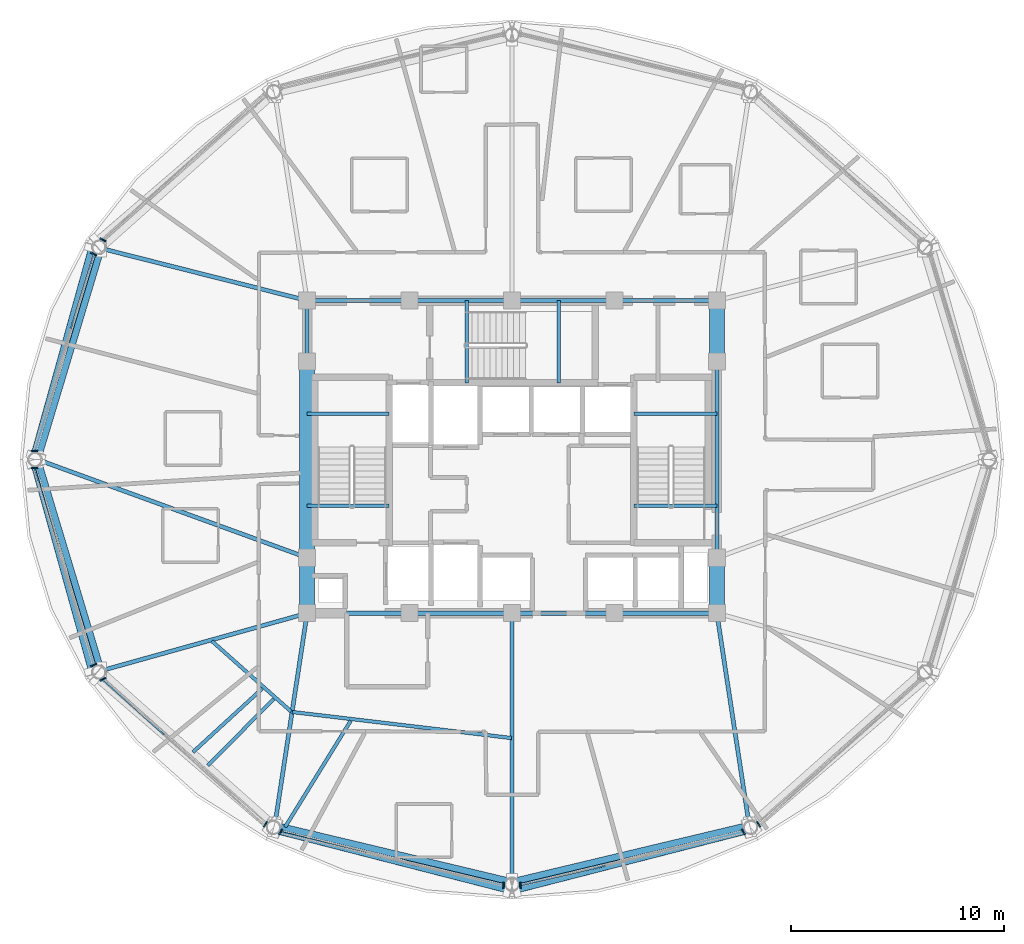
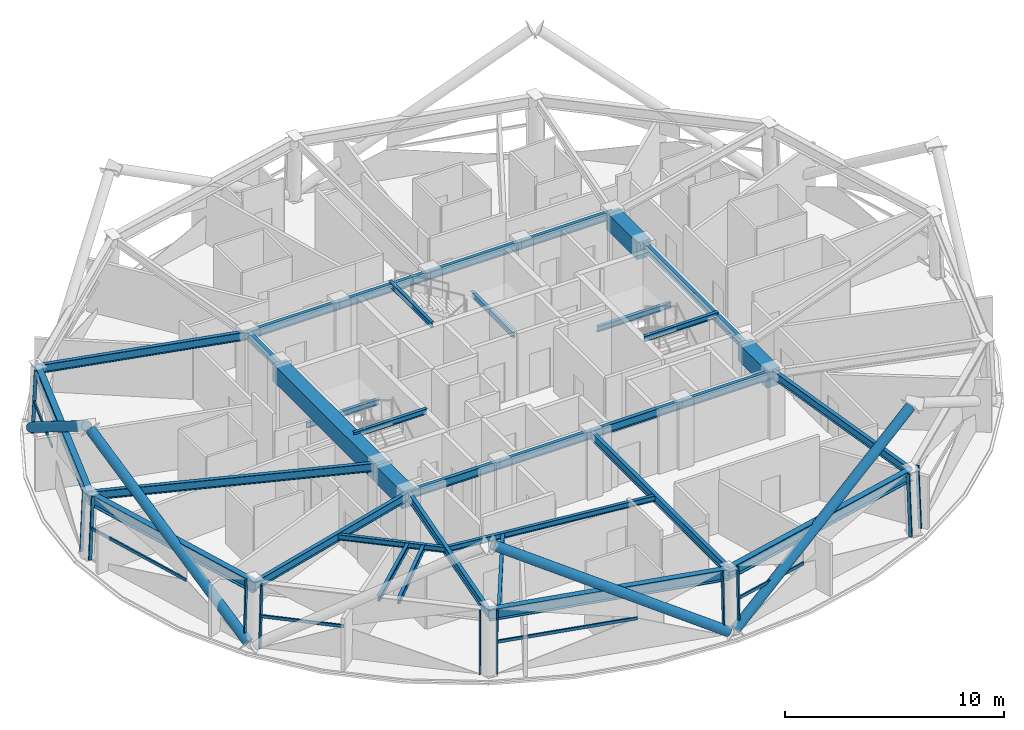
# One storey, part 2 of 14: 35 beams, 21 members, 7 elements without a shape of their own.
"""IFC4 building model written with IfcOpenShell, lengths in metres."""

from ifc_helpers import new_model, si_unit, direction, frame, origin, origin_2d, place, context, subcontext, project, spatial, rectangle, hollow_rectangle, hollow_circle, i_section, extrude, material, layer, layer_set, material_profile, profile_set, type_object, element, aggregate, save


model = new_model("IFC4")

# Units and contexts
model_context = context("Model", 3, precision=1e-05, world=origin(), true_north=direction((0.0, 1.0)))
body_context = subcontext(model_context, "Body", "Model", "MODEL_VIEW")
ifc_project = project(units=[si_unit("LENGTHUNIT", "METRE"), si_unit("AREAUNIT", "SQUARE_METRE"), si_unit("VOLUMEUNIT", "CUBIC_METRE"), si_unit("PLANEANGLEUNIT", "RADIAN"), si_unit("MASSUNIT", "GRAM", prefix="KILO")], contexts=[model_context])

# Site, building, storey
site_placement = place(None, origin())
site = spatial("IfcSite", under=ifc_project, at=site_placement, CompositionType="ELEMENT")
building_placement = place(site_placement, origin())
building = spatial("IfcBuilding", under=site, at=building_placement, Name="Vantalir Tower", CompositionType="ELEMENT")
storey_placement = place(building_placement, frame((0.0, 0.0, 204.89990234375)))
storey = spatial("IfcBuildingStorey", under=building, at=storey_placement, Name="L51", CompositionType="ELEMENT", Elevation=204.89990234375)

# Beams
ifc_material_1 = material(Name="Concrete C60/75", Category="concrete")
ifc_material_profile_1 = material_profile(ifc_material_1, rectangle(XDim=0.699951171875, YDim=0.949951171875, at=origin_2d()), Name="Concrete C60/75")
ifc_profile_set_1 = profile_set([ifc_material_profile_1], Name="Concrete C60/75")
beam_type_1 = type_object("IfcBeamType", Name="BM-CB-700x950", PredefinedType="USERDEFINED", material=ifc_profile_set_1)
beam_1_placement = place(storey_placement, frame((41.10009765625, 17.800048828125, 3.09521484375), z_axis=(0.0, 1.0, 0.0), x_axis=(-1.0, 0.0, 0.0)))
element("IfcBeam", 1, at=beam_1_placement, inside=storey, type_object=beam_type_1, Name="L51 Core Coupling Girder 05", ObjectType="GIRDER", PredefinedType="USERDEFINED", context=body_context, shape_type="SweptSolid", body=[
    extrude(rectangle(XDim=0.699951171875, YDim=0.949951171875, at=origin_2d()), origin(), (0.0, 0.0, 1.0), 2.599853515625),
])
beam_2_placement = place(storey_placement, frame((41.10009765625, 29.60009765625, 3.09521484375), z_axis=(0.0, 1.0, 0.0), x_axis=(-1.0, 0.0, 0.0)))
element("IfcBeam", 2, at=beam_2_placement, inside=storey, type_object=beam_type_1, Name="L51 Core Coupling Girder 07", ObjectType="GIRDER", PredefinedType="USERDEFINED", context=body_context, shape_type="SweptSolid", body=[
    extrude(rectangle(XDim=0.699951171875, YDim=0.949951171875, at=origin_2d()), origin(), (0.0, 0.0, 1.0), 2.849853515625),
])
beam_3_placement = place(storey_placement, frame((21.89990234375, 29.60009765625, 3.09521484375), z_axis=(0.0, -1.0, 0.0), x_axis=(1.0, 0.0, 0.0)))
element("IfcBeam", 3, at=beam_3_placement, inside=storey, type_object=beam_type_1, Name="L51 Core Coupling Girder 13", ObjectType="GIRDER", PredefinedType="USERDEFINED", context=body_context, shape_type="SweptSolid", body=[
    extrude(rectangle(XDim=0.699951171875, YDim=0.949951171875, at=origin_2d()), origin(), (0.0, 0.0, 1.0), 9.2001953125),
])
beam_4_placement = place(storey_placement, frame((21.89990234375, 20.39990234375, 3.09521484375), z_axis=(0.0, -1.0, 0.0), x_axis=(1.0, 0.0, 0.0)))
element("IfcBeam", 4, at=beam_4_placement, inside=storey, type_object=beam_type_1, Name="L51 Core Coupling Girder 14", ObjectType="GIRDER", PredefinedType="USERDEFINED", context=body_context, shape_type="SweptSolid", body=[
    extrude(rectangle(XDim=0.699951171875, YDim=0.949951171875, at=origin_2d()), origin(), (0.0, 0.0, 1.0), 2.599853515625),
])
ifc_material_2 = material(Name="Steel S355", Category="steel")
ifc_material_profile_2 = material_profile(ifc_material_2, i_section(OverallWidth=0.166015625, OverallDepth=0.306884765625, WebThickness=0.006591796875, FlangeThickness=0.01171875, at=origin_2d()), Name="Steel S355")
ifc_profile_set_2 = profile_set([ifc_material_profile_2], Name="Steel S355")
beam_type_2 = type_object("IfcBeamType", Name="BM-JS-305x165", PredefinedType="JOIST", material=ifc_profile_set_2)
for number, where, z_axis, x_axis, name in (
    (5, (21.89990234375, 22.8349609375, 3.59619140625), (1.0, 0.0, 0.0), (0.0, 1.0, 0.0), "L52 Stair ST1 Well Nosing Trimmer Beam"),
    (6, (21.89990234375, 27.14501953125, 1.52099609375), (1.0, 0.0, 0.0), (0.0, 1.0, 0.0), "L51 Stair ST1 Half-Landing Support Beam"),
):
    element("IfcBeam", number, at=place(storey_placement, frame(where, z_axis=z_axis, x_axis=x_axis)), inside=storey, type_object=beam_type_2, Name=name, PredefinedType="JOIST", context=body_context, shape_type="SweptSolid", body=[
        extrude(i_section(OverallWidth=0.166015625, OverallDepth=0.306884765625, WebThickness=0.006591796875, FlangeThickness=0.01171875, at=origin_2d()), origin(), (0.0, 0.0, 1.0), 3.840087890625),
    ])
for number, where, z_axis, x_axis, name in (
    (7, (37.2099609375, 22.8349609375, 3.59619140625), (1.0, 0.0, 0.0), (0.0, 1.0, 0.0), "L52 Stair ST2 Well Nosing Trimmer Beam"),
    (8, (37.2099609375, 27.14501953125, 1.52099609375), (1.0, 0.0, 0.0), (0.0, 1.0, 0.0), "L51 Stair ST2 Half-Landing Support Beam"),
):
    element("IfcBeam", number, at=place(storey_placement, frame(where, z_axis=z_axis, x_axis=x_axis)), inside=storey, type_object=beam_type_2, Name=name, PredefinedType="JOIST", context=body_context, shape_type="SweptSolid", body=[
        extrude(i_section(OverallWidth=0.166015625, OverallDepth=0.306884765625, WebThickness=0.006591796875, FlangeThickness=0.01171875, at=origin_2d()), origin(), (0.0, 0.0, 1.0), 3.89013671875),
    ])
for number, where, z_axis, x_axis, name in (
    (9, (29.385009765625, 28.60009765625, 3.59619140625), (0.0, 1.0, 0.0), (-1.0, 0.0, 0.0), "L52 Stair ST3 Well Nosing Trimmer Beam"),
    (10, (33.695068359375, 28.60009765625, 1.52099609375), (0.0, 1.0, 0.0), (-1.0, 0.0, 0.0), "L51 Stair ST3 Half-Landing Support Beam"),
):
    element("IfcBeam", number, at=place(storey_placement, frame(where, z_axis=z_axis, x_axis=x_axis)), inside=storey, type_object=beam_type_2, Name=name, PredefinedType="JOIST", context=body_context, shape_type="SweptSolid", body=[
        extrude(i_section(OverallWidth=0.166015625, OverallDepth=0.306884765625, WebThickness=0.006591796875, FlangeThickness=0.01171875, at=origin_2d()), origin(), (0.0, 0.0, 1.0), 3.849853515625),
    ])
beam_5_placement = place(storey_placement, frame((17.43408203125, 16.498046875, 3.336181640625), z_axis=(0.746885722385, -0.664952417619, 0.0), x_axis=(0.664952417619, 0.746885722385, 0.0)))
element("IfcBeam", 11, at=beam_5_placement, inside=storey, type_object=beam_type_2, Name="L51 Sky Garden SG3 Planter Sub-Girder 1", PredefinedType="JOIST", context=body_context, shape_type="SweptSolid", body=[
    extrude(i_section(OverallWidth=0.166015625, OverallDepth=0.306884765625, WebThickness=0.006591796875, FlangeThickness=0.01171875, at=origin_2d()), origin(), (0.0, 0.0, 1.0), 4.96728515625),
])
beam_6_placement = place(storey_placement, frame((21.2041015625, 13.169921875, 3.336181640625), z_axis=(0.993019090751, -0.117953742645, 0.0), x_axis=(0.117953742645, 0.993019090751, 0.0)))
element("IfcBeam", 12, at=beam_6_placement, inside=storey, type_object=beam_type_2, Name="L51 Sky Garden SG3 Planter Sub-Girder 2", PredefinedType="JOIST", context=body_context, shape_type="SweptSolid", body=[
    extrude(i_section(OverallWidth=0.166015625, OverallDepth=0.306884765625, WebThickness=0.006591796875, FlangeThickness=0.01171875, at=origin_2d()), origin(), (0.0, 0.0, 1.0), 10.35107421875),
])
beam_7_placement = place(storey_placement, frame((19.797119140625, 14.26806640625, 3.336181640625), z_axis=(-0.736896269533, -0.676005834257, 0.0), x_axis=(0.676005834257, -0.736896269533, 0.0)))
element("IfcBeam", 13, at=beam_7_placement, inside=storey, type_object=beam_type_2, Name="L51 Sky Garden SG3 Pier Tie Beam M1", PredefinedType="JOIST", context=body_context, shape_type="SweptSolid", body=[
    extrude(i_section(OverallWidth=0.166015625, OverallDepth=0.306884765625, WebThickness=0.006591796875, FlangeThickness=0.01171875, at=origin_2d()), origin(), (0.0, 0.0, 1.0), 4.40234375),
])
beam_8_placement = place(storey_placement, frame((20.342041015625, 13.782958984375, 3.336181640625), z_axis=(-0.705157842599, -0.709050362824, 0.0), x_axis=(0.709050362824, -0.705157842599, 0.0)))
element("IfcBeam", 14, at=beam_8_placement, inside=storey, type_object=beam_type_2, Name="L51 Sky Garden SG3 Pier Tie Beam M2", PredefinedType="JOIST", context=body_context, shape_type="SweptSolid", body=[
    extrude(i_section(OverallWidth=0.166015625, OverallDepth=0.306884765625, WebThickness=0.006591796875, FlangeThickness=0.01171875, at=origin_2d()), origin(), (0.0, 0.0, 1.0), 4.390380859375),
])
beam_9_placement = place(storey_placement, frame((23.94091796875, 12.758056640625, 3.336181640625), z_axis=(-0.525407591373, -0.850850670169, 0.0), x_axis=(0.850850670169, -0.525407591373, 0.0)))
element("IfcBeam", 15, at=beam_9_placement, inside=storey, type_object=beam_type_2, Name="L51 Sky Garden SG3 Pier Tie Beam T2", PredefinedType="JOIST", context=body_context, shape_type="SweptSolid", body=[
    extrude(i_section(OverallWidth=0.166015625, OverallDepth=0.306884765625, WebThickness=0.006591796875, FlangeThickness=0.01171875, at=origin_2d()), origin(), (0.0, 0.0, 1.0), 5.8505859375),
])
ifc_material_profile_3 = material_profile(ifc_material_2, i_section(OverallWidth=0.19189453125, OverallDepth=0.462890625, WebThickness=0.010498046875, FlangeThickness=0.017578125, at=origin_2d()), Name="Steel S355")
ifc_profile_set_3 = profile_set([ifc_material_profile_3], Name="Steel S355")
beam_type_3 = type_object("IfcBeamType", Name="BM-RB-457x191", PredefinedType="BEAM", material=ifc_profile_set_3)
for number, where, z_axis, x_axis, name in (
    (16, (21.89990234375, 17.800048828125, 3.338134765625), (1.0, 0.0, 0.0), (0.0, 1.0, 0.0), "L51 Core Coupling Girder 01"),
    (17, (26.699951171875, 17.800048828125, 3.338134765625), (1.0, 0.0, 0.0), (0.0, 1.0, 0.0), "L51 Core Coupling Girder 02"),
    (18, (31.5, 17.800048828125, 3.338134765625), (1.0, 0.0, 0.0), (0.0, 1.0, 0.0), "L51 Core Coupling Girder 03"),
    (19, (36.300048828125, 17.800048828125, 3.338134765625), (1.0, 0.0, 0.0), (0.0, 1.0, 0.0), "L51 Core Coupling Girder 04"),
):
    element("IfcBeam", number, at=place(storey_placement, frame(where, z_axis=z_axis, x_axis=x_axis)), inside=storey, type_object=beam_type_3, Name=name, PredefinedType="BEAM", context=body_context, shape_type="SweptSolid", body=[
        extrude(i_section(OverallWidth=0.19189453125, OverallDepth=0.462890625, WebThickness=0.010498046875, FlangeThickness=0.017578125, at=origin_2d()), origin(), (0.0, 0.0, 1.0), 4.800048828125),
    ])
beam_10_placement = place(storey_placement, frame((41.10009765625, 20.39990234375, 3.338134765625), z_axis=(0.0, 1.0, 0.0), x_axis=(-1.0, 0.0, 0.0)))
element("IfcBeam", 20, at=beam_10_placement, inside=storey, type_object=beam_type_3, Name="L51 Core Coupling Girder 06", PredefinedType="BEAM", context=body_context, shape_type="SweptSolid", body=[
    extrude(i_section(OverallWidth=0.19189453125, OverallDepth=0.462890625, WebThickness=0.010498046875, FlangeThickness=0.017578125, at=origin_2d()), origin(), (0.0, 0.0, 1.0), 9.2001953125),
])
for number, where, z_axis, x_axis, name in (
    (21, (41.10009765625, 32.449951171875, 3.338134765625), (-1.0, 0.0, 0.0), (0.0, -1.0, 0.0), "L51 Core Coupling Girder 08"),
    (22, (36.300048828125, 32.449951171875, 3.338134765625), (-1.0, 0.0, 0.0), (0.0, -1.0, 0.0), "L51 Core Coupling Girder 09"),
    (23, (31.5, 32.449951171875, 3.338134765625), (-1.0, 0.0, 0.0), (0.0, -1.0, 0.0), "L51 Core Coupling Girder 10"),
    (24, (26.699951171875, 32.449951171875, 3.338134765625), (-1.0, 0.0, 0.0), (0.0, -1.0, 0.0), "L51 Core Coupling Girder 11"),
):
    element("IfcBeam", number, at=place(storey_placement, frame(where, z_axis=z_axis, x_axis=x_axis)), inside=storey, type_object=beam_type_3, Name=name, PredefinedType="BEAM", context=body_context, shape_type="SweptSolid", body=[
        extrude(i_section(OverallWidth=0.19189453125, OverallDepth=0.462890625, WebThickness=0.010498046875, FlangeThickness=0.017578125, at=origin_2d()), origin(), (0.0, 0.0, 1.0), 4.800048828125),
    ])
beam_11_placement = place(storey_placement, frame((21.89990234375, 32.449951171875, 3.338134765625), z_axis=(0.0, -1.0, 0.0), x_axis=(1.0, 0.0, 0.0)))
element("IfcBeam", 25, at=beam_11_placement, inside=storey, type_object=beam_type_3, Name="L51 Core Coupling Girder 12", PredefinedType="BEAM", context=body_context, shape_type="SweptSolid", body=[
    extrude(i_section(OverallWidth=0.19189453125, OverallDepth=0.462890625, WebThickness=0.010498046875, FlangeThickness=0.017578125, at=origin_2d()), origin(), (0.0, 0.0, 1.0), 2.849853515625),
])
beam_12_placement = place(storey_placement, frame((12.2451171875, 34.89599609375, 3.338134765625), z_axis=(0.969373469219, -0.245591280739, 0.0), x_axis=(0.245591280739, 0.969373469219, 0.0)))
element("IfcBeam", 26, at=beam_12_placement, inside=storey, type_object=beam_type_3, Name="L51 Radial Floor Beam 06", PredefinedType="BEAM", context=body_context, shape_type="SweptSolid", body=[
    extrude(i_section(OverallWidth=0.19189453125, OverallDepth=0.462890625, WebThickness=0.010498046875, FlangeThickness=0.017578125, at=origin_2d()), origin(), (0.0, 0.0, 1.0), 9.959716796875),
])
beam_13_placement = place(storey_placement, frame((9.26611328125, 25.0, 3.338134765625), z_axis=(0.939650196162, -0.342136681535, 0.0), x_axis=(0.342136681535, 0.939650196162, 0.0)))
element("IfcBeam", 27, at=beam_13_placement, inside=storey, type_object=beam_type_3, Name="L51 Radial Floor Beam 07", PredefinedType="BEAM", context=body_context, shape_type="SweptSolid", body=[
    extrude(i_section(OverallWidth=0.19189453125, OverallDepth=0.462890625, WebThickness=0.010498046875, FlangeThickness=0.017578125, at=origin_2d()), origin(), (0.0, 0.0, 1.0), 13.4453125),
])
beam_14_placement = place(storey_placement, frame((12.2451171875, 15.10302734375, 3.298095703125), z_axis=(0.963127495216, 0.269045401296, 0.0), x_axis=(-0.269045401296, 0.963127495216, 0.0)))
element("IfcBeam", 28, at=beam_14_placement, inside=storey, type_object=beam_type_3, Name="L51 Radial Floor Beam 08", PredefinedType="BEAM", context=body_context, shape_type="SweptSolid", body=[
    extrude(i_section(OverallWidth=0.19189453125, OverallDepth=0.462890625, WebThickness=0.010498046875, FlangeThickness=0.017578125, at=origin_2d()), origin(), (0.0, 0.0, 1.0), 10.0244140625),
])
beam_15_placement = place(storey_placement, frame((20.383056640625, 7.85888671875, 3.298095703125), z_axis=(0.150836593768, 0.988558709425, 0.0), x_axis=(-0.988558709425, 0.150836593768, 0.0)))
element("IfcBeam", 29, at=beam_15_placement, inside=storey, type_object=beam_type_3, Name="L51 Radial Floor Beam 09", PredefinedType="BEAM", context=body_context, shape_type="SweptSolid", body=[
    extrude(i_section(OverallWidth=0.19189453125, OverallDepth=0.462890625, WebThickness=0.010498046875, FlangeThickness=0.017578125, at=origin_2d()), origin(), (0.0, 0.0, 1.0), 10.05615234375),
])
beam_16_placement = place(storey_placement, frame((31.5, 5.20703125, 3.338134765625), z_axis=(0.0, 1.0, 0.0), x_axis=(-1.0, 0.0, 0.0)))
element("IfcBeam", 30, at=beam_16_placement, inside=storey, type_object=beam_type_3, Name="L51 Radial Floor Beam 10", PredefinedType="BEAM", context=body_context, shape_type="SweptSolid", body=[
    extrude(i_section(OverallWidth=0.19189453125, OverallDepth=0.462890625, WebThickness=0.010498046875, FlangeThickness=0.017578125, at=origin_2d()), origin(), (0.0, 0.0, 1.0), 12.593017578125),
])
beam_17_placement = place(storey_placement, frame((42.616943359375, 7.85888671875, 3.338134765625), z_axis=(-0.150836593768, 0.988558709425, 0.0), x_axis=(-0.988558709425, -0.150836593768, 0.0)))
element("IfcBeam", 31, at=beam_17_placement, inside=storey, type_object=beam_type_3, Name="L51 Radial Floor Beam 11", PredefinedType="BEAM", context=body_context, shape_type="SweptSolid", body=[
    extrude(i_section(OverallWidth=0.19189453125, OverallDepth=0.462890625, WebThickness=0.010498046875, FlangeThickness=0.017578125, at=origin_2d()), origin(), (0.0, 0.0, 1.0), 10.05615234375),
])
ifc_material_3 = material(Name="Steel S460", Category="steel")
ifc_material_profile_4 = material_profile(ifc_material_3, i_section(OverallWidth=0.306884765625, OverallDepth=0.6201171875, WebThickness=0.01416015625, FlangeThickness=0.023681640625, at=origin_2d()), Name="Steel S460")
ifc_profile_set_4 = profile_set([ifc_material_profile_4], Name="Steel S460")
beam_type_4 = type_object("IfcBeamType", Name="BM-RG-610x305", PredefinedType="USERDEFINED", material=ifc_profile_set_4)
beam_18_placement = place(storey_placement, frame((12.2451171875, 34.89599609375, 3.260009765625), z_axis=(-0.288253684932, -0.957554078433, 0.0), x_axis=(0.957554078433, -0.288253684932, 0.0)))
element("IfcBeam", 32, at=beam_18_placement, inside=storey, type_object=beam_type_4, Name="L51 Circumferential Ring Girder 06", ObjectType="GIRDER", PredefinedType="USERDEFINED", context=body_context, shape_type="SweptSolid", body=[
    extrude(i_section(OverallWidth=0.306884765625, OverallDepth=0.6201171875, WebThickness=0.01416015625, FlangeThickness=0.023681640625, at=origin_2d()), origin(), (0.0, 0.0, 1.0), 10.334716796875),
])
beam_19_placement = place(storey_placement, frame((9.26611328125, 25.0, 3.22021484375), z_axis=(0.288227605117, -0.957561928884, 0.0), x_axis=(0.957561928884, 0.288227605117, 0.0)))
element("IfcBeam", 33, at=beam_19_placement, inside=storey, type_object=beam_type_4, Name="L51 Circumferential Ring Girder 07", ObjectType="GIRDER", PredefinedType="USERDEFINED", context=body_context, shape_type="SweptSolid", body=[
    extrude(i_section(OverallWidth=0.306884765625, OverallDepth=0.6201171875, WebThickness=0.01416015625, FlangeThickness=0.023681640625, at=origin_2d()), origin(), (0.0, 0.0, 1.0), 10.335693359375),
])
for number, where, z_axis, x_axis, name in (
    (34, (20.383056640625, 7.85888671875, 3.22021484375), (0.972708257923, -0.232031560285, 0.0), (0.232031560285, 0.972708257923, 0.0), "L51 Circumferential Ring Girder 09"),
    (35, (31.5, 5.20703125, 3.260009765625), (0.972708257923, 0.232031560285, 0.0), (-0.232031560285, 0.972708257923, 0.0), "L51 Circumferential Ring Girder 10"),
):
    element("IfcBeam", number, at=place(storey_placement, frame(where, z_axis=z_axis, x_axis=x_axis)), inside=storey, type_object=beam_type_4, Name=name, ObjectType="GIRDER", PredefinedType="USERDEFINED", context=body_context, shape_type="SweptSolid", body=[
        extrude(i_section(OverallWidth=0.306884765625, OverallDepth=0.6201171875, WebThickness=0.01416015625, FlangeThickness=0.023681640625, at=origin_2d()), origin(), (0.0, 0.0, 1.0), 11.428955078125),
    ])

# Curtain wall, member
ifc_material_4 = material(Name="Champagne-silver PVDF aluminium and double-silver Low-E glass", Category="aluminium")
ifc_layer = layer(ifc_material_4, 0.2099609375)
ifc_layer_set = layer_set([ifc_layer], Name="Champagne-silver PVDF aluminium and double-silver Low-E glass")
curtain_wall_type = type_object("IfcCurtainWallType", Name="CW-DIAMOND-Z3", PredefinedType="USERDEFINED", material=ifc_layer_set)
curtain_wall_1_placement = place(storey_placement, origin())
curtain_wall_1 = element("IfcCurtainWall", 36, at=curtain_wall_1_placement, inside=storey, type_object=curtain_wall_type, Name="L51 Quilted Pyramid-Diamond Curtain Wall S05", ObjectType="UNITISED CURTAIN WALL", PredefinedType="USERDEFINED")
ifc_material_5 = material(Name="Champagne-silver PVDF aluminium 6063-T6", Category="aluminium")
ifc_material_profile_5 = material_profile(ifc_material_5, hollow_rectangle(XDim=0.070068359375, YDim=0.1650390625, WallThickness=0.00390625, at=origin_2d()), Name="Champagne-silver PVDF aluminium 6063-T6")
ifc_profile_set_5 = profile_set([ifc_material_profile_5], Name="Champagne-silver PVDF aluminium 6063-T6")
member_type_1 = type_object("IfcMemberType", Name="CWM-165x70", PredefinedType="MULLION", material=ifc_profile_set_5)
member_1_placement = place(storey_placement, frame((12.258056640625, 35.3310546875, 0.045166015625), z_axis=(0.036729969978, -0.019276224702, 0.999139297829), x_axis=(0.464701423558, 0.885467439798, 0.0)))
member_1 = element("IfcMember", 37, at=member_1_placement, type_object=member_type_1, Name="CW-L51-S05 Mullion 2", PredefinedType="MULLION", context=body_context, shape_type="SweptSolid", body=[
    extrude(hollow_rectangle(XDim=0.070068359375, YDim=0.1650390625, WallThickness=0.00390625, at=origin_2d()), origin(), (0.0, 0.0, 1.0), 3.48291015625),
])
aggregate(curtain_wall_1, [member_1])

# Curtain wall, members
curtain_wall_2_placement = place(storey_placement, origin())
curtain_wall_2 = element("IfcCurtainWall", 38, at=curtain_wall_2_placement, inside=storey, type_object=curtain_wall_type, Name="L51 Quilted Pyramid-Diamond Curtain Wall S06", ObjectType="UNITISED CURTAIN WALL", PredefinedType="USERDEFINED")
member_2_placement = place(storey_placement, frame((11.833984375, 34.6650390625, 0.045166015625), z_axis=(0.036729969978, -0.019276224702, 0.999139297829), x_axis=(0.464701423558, 0.885467439798, 0.0)))
member_2 = element("IfcMember", 39, at=member_2_placement, type_object=member_type_1, Name="CW-L51-S06 Mullion 1", PredefinedType="MULLION", context=body_context, shape_type="SweptSolid", body=[
    extrude(hollow_rectangle(XDim=0.070068359375, YDim=0.1650390625, WallThickness=0.00390625, at=origin_2d()), origin(), (0.0, 0.0, 1.0), 3.48291015625),
])
member_3_placement = place(storey_placement, frame((9.0458984375, 25.39306640625, 0.045166015625), z_axis=(0.042545977798, 0.0, 0.99909450993), x_axis=(0.0, 1.0, 0.0)))
member_3 = element("IfcMember", 40, at=member_3_placement, type_object=member_type_1, Name="CW-L51-S06 Mullion 2", PredefinedType="MULLION", context=body_context, shape_type="SweptSolid", body=[
    extrude(hollow_rectangle(XDim=0.070068359375, YDim=0.1650390625, WallThickness=0.00390625, at=origin_2d()), origin(), (0.0, 0.0, 1.0), 3.483154296875),
])

curtain_wall_3_placement = place(storey_placement, origin())
curtain_wall_3 = element("IfcCurtainWall", 41, at=curtain_wall_3_placement, inside=storey, type_object=curtain_wall_type, Name="L51 Quilted Pyramid-Diamond Curtain Wall S07", ObjectType="UNITISED CURTAIN WALL", PredefinedType="USERDEFINED")
member_4_placement = place(storey_placement, frame((9.0458984375, 24.60693359375, 0.045166015625), z_axis=(0.042545977798, 0.0, 0.99909450993), x_axis=(0.0, 1.0, 0.0)))
member_4 = element("IfcMember", 42, at=member_4_placement, type_object=member_type_1, Name="CW-L51-S07 Mullion 1", PredefinedType="MULLION", context=body_context, shape_type="SweptSolid", body=[
    extrude(hollow_rectangle(XDim=0.070068359375, YDim=0.1650390625, WallThickness=0.00390625, at=origin_2d()), origin(), (0.0, 0.0, 1.0), 3.483154296875),
])
member_5_placement = place(storey_placement, frame((11.833984375, 15.3349609375, 0.045166015625), z_axis=(0.036730215867, 0.018925874588, 0.999145986587), x_axis=(-0.458037839434, 0.888932695791, 0.0)))
member_5 = element("IfcMember", 43, at=member_5_placement, type_object=member_type_1, Name="CW-L51-S07 Mullion 2", PredefinedType="MULLION", context=body_context, shape_type="SweptSolid", body=[
    extrude(hollow_rectangle(XDim=0.070068359375, YDim=0.1650390625, WallThickness=0.00390625, at=origin_2d()), origin(), (0.0, 0.0, 1.0), 3.48291015625),
])

curtain_wall_4_placement = place(storey_placement, origin())
curtain_wall_4 = element("IfcCurtainWall", 44, at=curtain_wall_4_placement, inside=storey, type_object=curtain_wall_type, Name="L51 Quilted Pyramid-Diamond Curtain Wall S08", ObjectType="UNITISED CURTAIN WALL", PredefinedType="USERDEFINED")
member_6_placement = place(storey_placement, frame((12.258056640625, 14.6689453125, 0.045166015625), z_axis=(0.03673016705, 0.018995945173, 0.999144658643), x_axis=(-0.45937680343, 0.888241494454, 0.0)))
member_6 = element("IfcMember", 45, at=member_6_placement, type_object=member_type_1, Name="CW-L51-S08 Mullion 1", PredefinedType="MULLION", context=body_context, shape_type="SweptSolid", body=[
    extrude(hollow_rectangle(XDim=0.070068359375, YDim=0.1650390625, WallThickness=0.00390625, at=origin_2d()), origin(), (0.0, 0.0, 1.0), 3.48291015625),
])
member_7_placement = place(storey_placement, frame((19.907958984375, 7.85302734375, 0.045166015625), z_axis=(0.021240998062, 0.032737775891, 0.999238238875), x_axis=(-0.838894783542, 0.544293617587, 0.0)))
member_7 = element("IfcMember", 46, at=member_7_placement, type_object=member_type_1, Name="CW-L51-S08 Mullion 2", PredefinedType="MULLION", context=body_context, shape_type="SweptSolid", body=[
    extrude(hollow_rectangle(XDim=0.070068359375, YDim=0.1650390625, WallThickness=0.00390625, at=origin_2d()), origin(), (0.0, 0.0, 1.0), 3.482666015625),
])

curtain_wall_5_placement = place(storey_placement, origin())
curtain_wall_5 = element("IfcCurtainWall", 47, at=curtain_wall_5_placement, inside=storey, type_object=curtain_wall_type, Name="L51 Quilted Pyramid-Diamond Curtain Wall S09", ObjectType="UNITISED CURTAIN WALL", PredefinedType="USERDEFINED")
member_8_placement = place(storey_placement, frame((20.613037109375, 7.485107421875, 0.045166015625), z_axis=(0.021240998062, 0.032737775891, 0.999238238875), x_axis=(-0.838894783542, 0.544293617587, 0.0)))
member_8 = element("IfcMember", 48, at=member_8_placement, type_object=member_type_1, Name="CW-L51-S09 Mullion 1", PredefinedType="MULLION", context=body_context, shape_type="SweptSolid", body=[
    extrude(hollow_rectangle(XDim=0.070068359375, YDim=0.1650390625, WallThickness=0.00390625, at=origin_2d()), origin(), (0.0, 0.0, 1.0), 3.482666015625),
])
member_9_placement = place(storey_placement, frame((31.10107421875, 4.97998046875, 0.045166015625), z_axis=(0.0, 0.03792695091, 0.999280514368), x_axis=(-1.0, 0.0, 0.0)))
member_9 = element("IfcMember", 49, at=member_9_placement, type_object=member_type_1, Name="CW-L51-S09 Mullion 2", PredefinedType="MULLION", context=body_context, shape_type="SweptSolid", body=[
    extrude(hollow_rectangle(XDim=0.070068359375, YDim=0.1650390625, WallThickness=0.00390625, at=origin_2d()), origin(), (0.0, 0.0, 1.0), 3.482421875),
])

curtain_wall_6_placement = place(storey_placement, origin())
curtain_wall_6 = element("IfcCurtainWall", 50, at=curtain_wall_6_placement, inside=storey, type_object=curtain_wall_type, Name="L51 Quilted Pyramid-Diamond Curtain Wall S10", ObjectType="UNITISED CURTAIN WALL", PredefinedType="USERDEFINED")
member_10_placement = place(storey_placement, frame((31.89892578125, 4.97998046875, 0.045166015625), z_axis=(0.0, 0.03792695091, 0.999280514368), x_axis=(-1.0, 0.0, 0.0)))
member_10 = element("IfcMember", 51, at=member_10_placement, type_object=member_type_1, Name="CW-L51-S10 Mullion 1", PredefinedType="MULLION", context=body_context, shape_type="SweptSolid", body=[
    extrude(hollow_rectangle(XDim=0.070068359375, YDim=0.1650390625, WallThickness=0.00390625, at=origin_2d()), origin(), (0.0, 0.0, 1.0), 3.482421875),
])
member_11_placement = place(storey_placement, frame((42.386962890625, 7.485107421875, 0.045166015625), z_axis=(-0.021240998062, 0.032737775891, 0.999238238875), x_axis=(-0.838894783542, -0.544293617587, 0.0)))
member_11 = element("IfcMember", 52, at=member_11_placement, type_object=member_type_1, Name="CW-L51-S10 Mullion 2", PredefinedType="MULLION", context=body_context, shape_type="SweptSolid", body=[
    extrude(hollow_rectangle(XDim=0.070068359375, YDim=0.1650390625, WallThickness=0.00390625, at=origin_2d()), origin(), (0.0, 0.0, 1.0), 3.482666015625),
])

# Curtain wall, member
curtain_wall_7_placement = place(storey_placement, origin())
curtain_wall_7 = element("IfcCurtainWall", 53, at=curtain_wall_7_placement, inside=storey, type_object=curtain_wall_type, Name="L51 Quilted Pyramid-Diamond Curtain Wall S11", ObjectType="UNITISED CURTAIN WALL", PredefinedType="USERDEFINED")
member_12_placement = place(storey_placement, frame((43.092041015625, 7.85302734375, 0.045166015625), z_axis=(-0.021240998062, 0.032737775891, 0.999238238875), x_axis=(-0.838894783542, -0.544293617587, 0.0)))
member_12 = element("IfcMember", 54, at=member_12_placement, type_object=member_type_1, Name="CW-L51-S11 Mullion 1", PredefinedType="MULLION", context=body_context, shape_type="SweptSolid", body=[
    extrude(hollow_rectangle(XDim=0.070068359375, YDim=0.1650390625, WallThickness=0.00390625, at=origin_2d()), origin(), (0.0, 0.0, 1.0), 3.482666015625),
])
aggregate(curtain_wall_7, [member_12])

# Member
ifc_material_profile_6 = material_profile(ifc_material_5, hollow_rectangle(XDim=0.074951171875, YDim=0.159912109375, WallThickness=0.00390625, at=origin_2d()), Name="Champagne-silver PVDF aluminium 6063-T6")
ifc_profile_set_6 = profile_set([ifc_material_profile_6], Name="Champagne-silver PVDF aluminium 6063-T6")
member_type_2 = type_object("IfcMemberType", Name="CWT-160x75", PredefinedType="USERDEFINED", material=ifc_profile_set_6)
member_13_placement = place(storey_placement, frame((11.89794921875, 34.632080078125, 1.78515625), z_axis=(-0.294249613472, -0.955728604245, 0.0), x_axis=(0.955728604245, -0.294249613472, 0.0)))
member_13 = element("IfcMember", 55, at=member_13_placement, type_object=member_type_2, Name="CW-L51-S06 Pyramid Fold Ridge Transom", ObjectType="TRANSOM", PredefinedType="USERDEFINED", context=body_context, shape_type="SweptSolid", body=[
    extrude(hollow_rectangle(XDim=0.074951171875, YDim=0.159912109375, WallThickness=0.00390625, at=origin_2d()), origin(), (0.0, 0.0, 1.0), 3.66650390625),
])

aggregate(curtain_wall_2, [member_2, member_3, member_13])

member_14_placement = place(storey_placement, frame((9.1201171875, 24.60693359375, 1.78515625), z_axis=(0.284050805957, -0.958809230053, 0.0), x_axis=(0.958809230053, 0.284050805957, 0.0)))
member_14 = element("IfcMember", 56, at=member_14_placement, type_object=member_type_2, Name="CW-L51-S07 Pyramid Fold Ridge Transom", ObjectType="TRANSOM", PredefinedType="USERDEFINED", context=body_context, shape_type="SweptSolid", body=[
    extrude(hollow_rectangle(XDim=0.074951171875, YDim=0.159912109375, WallThickness=0.00390625, at=origin_2d()), origin(), (0.0, 0.0, 1.0), 5.981201171875),
])

aggregate(curtain_wall_3, [member_4, member_5, member_14])

member_15_placement = place(storey_placement, frame((12.322021484375, 14.701904296875, 1.78515625), z_axis=(0.742548222885, -0.669792607223, 0.0), x_axis=(0.669792607223, 0.742548222885, 0.0)))
member_15 = element("IfcMember", 57, at=member_15_placement, type_object=member_type_2, Name="CW-L51-S08 Pyramid Fold Ridge Transom", ObjectType="TRANSOM", PredefinedType="USERDEFINED", context=body_context, shape_type="SweptSolid", body=[
    extrude(hollow_rectangle(XDim=0.074951171875, YDim=0.159912109375, WallThickness=0.00390625, at=origin_2d()), origin(), (0.0, 0.0, 1.0), 3.875732421875),
])

aggregate(curtain_wall_4, [member_6, member_7, member_15])

member_16_placement = place(storey_placement, frame((20.64990234375, 7.5419921875, 1.78515625), z_axis=(0.971796429509, -0.23582132981, 0.0), x_axis=(0.23582132981, 0.971796429509, 0.0)))
member_16 = element("IfcMember", 58, at=member_16_placement, type_object=member_type_2, Name="CW-L51-S09 Pyramid Fold Ridge Transom", ObjectType="TRANSOM", PredefinedType="USERDEFINED", context=body_context, shape_type="SweptSolid", body=[
    extrude(hollow_rectangle(XDim=0.074951171875, YDim=0.159912109375, WallThickness=0.00390625, at=origin_2d()), origin(), (0.0, 0.0, 1.0), 6.662109375),
])

aggregate(curtain_wall_5, [member_8, member_9, member_16])

member_17_placement = place(storey_placement, frame((31.89892578125, 5.0458984375, 1.78515625), z_axis=(0.973999743349, 0.226549111575, 0.0), x_axis=(-0.226549111575, 0.973999743349, 0.0)))
member_17 = element("IfcMember", 59, at=member_17_placement, type_object=member_type_2, Name="CW-L51-S10 Pyramid Fold Ridge Transom", ObjectType="TRANSOM", PredefinedType="USERDEFINED", context=body_context, shape_type="SweptSolid", body=[
    extrude(hollow_rectangle(XDim=0.074951171875, YDim=0.159912109375, WallThickness=0.00390625, at=origin_2d()), origin(), (0.0, 0.0, 1.0), 4.083251953125),
])

aggregate(curtain_wall_6, [member_10, member_11, member_17])

# Members
ifc_material_profile_7 = material_profile(ifc_material_3, hollow_circle(Radius=0.25, WallThickness=0.031982421875, at=origin_2d()), Name="Steel S460")
ifc_profile_set_7 = profile_set([ifc_material_profile_7], Name="Steel S460")
member_type_3 = type_object("IfcMemberType", Name="MEM-DB-500x32", PredefinedType="BRACE", material=ifc_profile_set_7)
for number, where, z_axis, x_axis, name in (
    (60, (11.903076171875, 34.883056640625, 0.2041015625), (-0.221356136118, -0.794404819186, 0.565616870556), (0.963302414777, -0.268418437676, 0.0), "L51 Perimeter S460 Diagrid Brace R16L"),
    (61, (11.903076171875, 15.116943359375, 0.2041015625), (-0.221356136118, 0.794404819186, 0.565616870556), (-0.963302414777, -0.268418437676, 0.0), "L51 Perimeter S460 Diagrid Brace R22R"),
):
    element("IfcMember", number, at=place(storey_placement, frame(where, z_axis=z_axis, x_axis=x_axis)), inside=storey, type_object=member_type_3, Name=name, PredefinedType="BRACE", context=body_context, shape_type="SweptSolid", body=[
        extrude(hollow_circle(Radius=0.25, WallThickness=0.031982421875, at=origin_2d()), origin(), (0.0, 0.0, 1.0), 12.220458984375),
    ])
for number, where, z_axis, x_axis, name in (
    (62, (31.680908203125, 4.930908203125, 0.196044921875), (0.823045828205, 0.21113601413, 0.527273314527), (-0.248484256203, 0.968635934921, 0.0), "L51 Perimeter S460 Diagrid Brace R28L"),
    (63, (31.319091796875, 4.930908203125, 0.196044921875), (-0.823045828205, 0.21113601413, 0.527273314527), (-0.248484256203, -0.968635934921, 0.0), "L51 Perimeter S460 Diagrid Brace R28R"),
):
    element("IfcMember", number, at=place(storey_placement, frame(where, z_axis=z_axis, x_axis=x_axis)), inside=storey, type_object=member_type_3, Name=name, PredefinedType="BRACE", context=body_context, shape_type="SweptSolid", body=[
        extrude(hollow_circle(Radius=0.25, WallThickness=0.031982421875, at=origin_2d()), origin(), (0.0, 0.0, 1.0), 13.13916015625),
    ])

save(model, "model.ifc")
